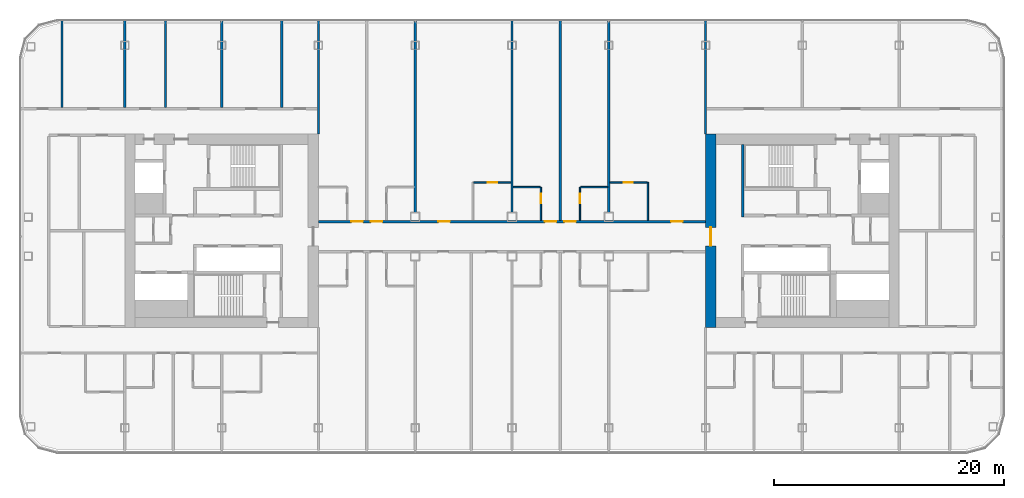
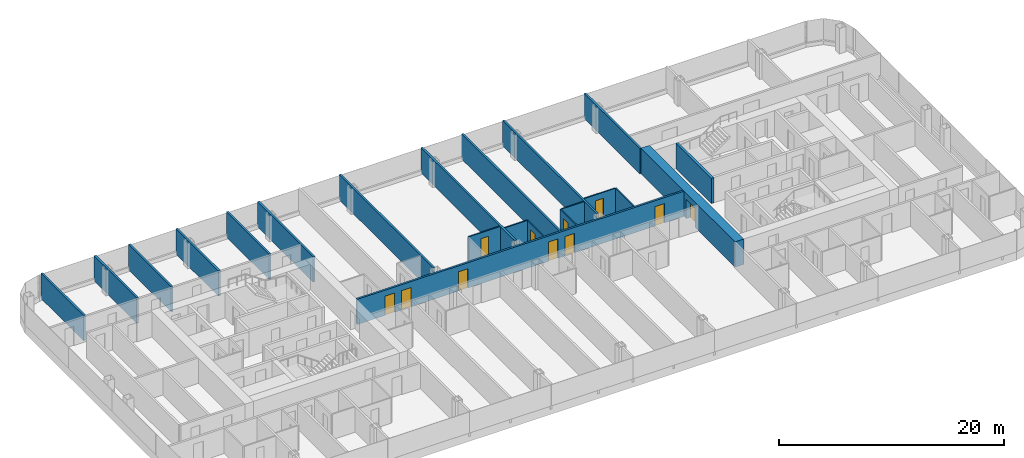
# One storey, part 15 of 26: 21 walls, 11 doors, 11 openings.
"""IFC4 building model written with IfcOpenShell, lengths in metres."""

from ifc_helpers import new_model, si_unit, direction, frame, frame_2d, origin, place, context, subcontext, project, spatial, rectangle, extrude, material, layer, layer_set, type_object, element, fill, save


model = new_model("IFC4")

# Units and contexts
model_context = context("Model", 3, precision=1e-05, world=origin(), true_north=direction((0.0, 1.0)))
body_context = subcontext(model_context, "Body", "Model", "MODEL_VIEW")
ifc_project = project(units=[si_unit("LENGTHUNIT", "METRE"), si_unit("AREAUNIT", "SQUARE_METRE"), si_unit("VOLUMEUNIT", "CUBIC_METRE"), si_unit("PLANEANGLEUNIT", "RADIAN"), si_unit("MASSUNIT", "GRAM", prefix="KILO")], contexts=[model_context])

# Site, building, storey
site_placement = place(None, origin())
site = spatial("IfcSite", under=ifc_project, at=site_placement, CompositionType="ELEMENT")
building_placement = place(site_placement, origin())
building = spatial("IfcBuilding", under=site, at=building_placement, Name="Hakoniwa Tower and Hamabe Station Hall", CompositionType="ELEMENT")
storey_placement = place(building_placement, frame((0.0, 0.0, 156.60009765625)))
storey = spatial("IfcBuildingStorey", under=building, at=storey_placement, Name="L44", CompositionType="ELEMENT", Elevation=156.60009765625)

# Walls
ifc_material_1 = material(Name="Gypsum board partition", Category="gypsum")
ifc_layer_1 = layer(ifc_material_1, 0.125)
ifc_layer_set_1 = layer_set([ifc_layer_1], Name="Bathroom Partition 125")
wall_type_1 = type_object("IfcWallType", Name="Bathroom Partition 125", PredefinedType="PARTITIONING", material=ifc_layer_set_1)
wall_1_placement = place(storey_placement, frame((0.10009765625, 3.800048828125, 0.0), z_axis=(0.0, 0.0, 1.0), x_axis=(1.0, 0.0, 0.0)))
element("IfcWall", 1, at=wall_1_placement, inside=storey, type_object=wall_type_1, Name="GW-L44-025", PredefinedType="PARTITIONING", context=body_context, shape_type="SweptSolid", body=[
    extrude(rectangle(XDim=2.33740234375, YDim=0.125, at=frame_2d((1.168701171875, 0.0))), origin(), (0.0, 0.0, 1.0), 2.75),
])
wall_2_placement = place(storey_placement, frame((5.96240234375, 3.800048828125, 0.0), z_axis=(0.0, 0.0, 1.0), x_axis=(1.0, 0.0, 0.0)))
element("IfcWall", 2, at=wall_2_placement, inside=storey, type_object=wall_type_1, Name="GW-L44-026", PredefinedType="PARTITIONING", context=body_context, shape_type="SweptSolid", body=[
    extrude(rectangle(XDim=2.337646484375, YDim=0.125, at=frame_2d((1.1689453125, 0.0))), origin(), (0.0, 0.0, 1.0), 2.75),
])

# Wall, opening, door
wall_3_placement = place(storey_placement, frame((-3.33740234375, 4.199951171875, 0.0), z_axis=(0.0, 0.0, 1.0), x_axis=(1.0, 0.0, 0.0)))
wall_3 = element("IfcWall", 3, at=wall_3_placement, inside=storey, type_object=wall_type_1, Name="GW-L44-027", PredefinedType="PARTITIONING", context=body_context, shape_type="SweptSolid", body=[
    extrude(rectangle(XDim=3.2373046875, YDim=0.125, at=frame_2d((1.61865234375, 0.0))), origin(), (0.0, 0.0, 1.0), 2.75),
])
opening_1_placement = place(wall_3_placement, frame((1.237548828125, 0.0, 0.0)))
opening_1 = element("IfcOpeningElement", 4, at=opening_1_placement, cuts=wall_3, Name="Opening GD-G3D1-31", PredefinedType="OPENING", context=body_context, shape_type="SweptSolid", body=[
    extrude(rectangle(XDim=0.800048828125, YDim=2.10009765625, at=frame_2d((0.39990234375, 1.050048828125))), frame((0.0, 0.072509765625, 0.0), z_axis=(0.0, -1.0, 0.0), x_axis=(1.0, 0.0, 0.0)), (0.0, 0.0, 1.0), 0.14501953125),
])
ifc_material_2 = material(Name="Timber door leaf", Category="wood")
door_type_1 = type_object("IfcDoorType", Name="Bathroom Door 800", OperationType="SINGLE_SWING_LEFT", PredefinedType="DOOR", material=ifc_material_2)
door_1_placement = place(opening_1_placement, origin())
door_1 = element("IfcDoor", 5, at=door_1_placement, inside=storey, type_object=door_type_1, Name="Door GD-G3D1-31", OperationType="SINGLE_SWING_RIGHT", OverallHeight=2.10009765625, OverallWidth=0.800048828125, PredefinedType="DOOR", context=body_context, shape_type="SweptSolid", body=[
    extrude(rectangle(XDim=0.800048828125, YDim=2.10009765625, at=frame_2d((0.39990234375, 1.050048828125))), frame((0.0, 0.02490234375, 0.0), z_axis=(0.0, -1.0, 0.0), x_axis=(1.0, 0.0, 0.0)), (0.0, 0.0, 1.0), 0.050048828125),
])
fill(opening_1, door_1)

wall_4_placement = place(storey_placement, frame((8.5, 4.199951171875, 0.0), z_axis=(0.0, 0.0, 1.0), x_axis=(1.0, 0.0, 0.0)))
wall_4 = element("IfcWall", 6, at=wall_4_placement, inside=storey, type_object=wall_type_1, Name="GW-L44-028", PredefinedType="PARTITIONING", context=body_context, shape_type="SweptSolid", body=[
    extrude(rectangle(XDim=3.237548828125, YDim=0.125, at=frame_2d((1.61865234375, 0.0))), origin(), (0.0, 0.0, 1.0), 2.75),
])
opening_2_placement = place(wall_4_placement, frame((1.199951171875, 0.0, 0.0)))
opening_2 = element("IfcOpeningElement", 7, at=opening_2_placement, cuts=wall_4, Name="Opening GD-G3D1-32", PredefinedType="OPENING", context=body_context, shape_type="SweptSolid", body=[
    extrude(rectangle(XDim=0.800048828125, YDim=2.10009765625, at=frame_2d((0.39990234375, 1.050048828125))), frame((0.0, 0.072509765625, 0.0), z_axis=(0.0, -1.0, 0.0), x_axis=(1.0, 0.0, 0.0)), (0.0, 0.0, 1.0), 0.14501953125),
])
door_2_placement = place(opening_2_placement, origin())
door_2 = element("IfcDoor", 8, at=door_2_placement, inside=storey, type_object=door_type_1, Name="Door GD-G3D1-32", OperationType="SINGLE_SWING_LEFT", OverallHeight=2.10009765625, OverallWidth=0.800048828125, PredefinedType="DOOR", context=body_context, shape_type="SweptSolid", body=[
    extrude(rectangle(XDim=0.800048828125, YDim=2.10009765625, at=frame_2d((0.39990234375, 1.050048828125))), frame((0.0, 0.02490234375, 0.0), z_axis=(0.0, -1.0, 0.0), x_axis=(1.0, 0.0, 0.0)), (0.0, 0.0, 1.0), 0.050048828125),
])
fill(opening_2, door_2)

wall_5_placement = place(storey_placement, frame((2.5, 0.89990234375, 0.0), z_axis=(0.0, 0.0, 1.0), x_axis=(0.0, 1.0, 0.0)))
wall_5 = element("IfcWall", 9, at=wall_5_placement, inside=storey, type_object=wall_type_1, Name="GW-L44-063", PredefinedType="PARTITIONING", context=body_context, shape_type="SweptSolid", body=[
    extrude(rectangle(XDim=2.900146484375, YDim=0.125, at=frame_2d((1.4501953125, 0.0))), origin(), (0.0, 0.0, 1.0), 2.75),
])
opening_3_placement = place(wall_5_placement, frame((1.5, 0.0, 0.0)))
opening_3 = element("IfcOpeningElement", 10, at=opening_3_placement, cuts=wall_5, Name="Opening GD-G3D1-53", PredefinedType="OPENING", context=body_context, shape_type="SweptSolid", body=[
    extrude(rectangle(XDim=0.800048828125, YDim=2.10009765625, at=frame_2d((0.39990234375, 1.050048828125))), frame((0.0, 0.072509765625, 0.0), z_axis=(0.0, -1.0, 0.0), x_axis=(1.0, 0.0, 0.0)), (0.0, 0.0, 1.0), 0.14501953125),
])
door_3_placement = place(opening_3_placement, origin())
door_3 = element("IfcDoor", 11, at=door_3_placement, inside=storey, type_object=door_type_1, Name="Door GD-G3D1-53", OperationType="SINGLE_SWING_LEFT", OverallHeight=2.10009765625, OverallWidth=0.800048828125, PredefinedType="DOOR", context=body_context, shape_type="SweptSolid", body=[
    extrude(rectangle(XDim=0.800048828125, YDim=2.10009765625, at=frame_2d((0.39990234375, 1.050048828125))), frame((0.0, 0.02490234375, 0.0), z_axis=(0.0, -1.0, 0.0), x_axis=(1.0, 0.0, 0.0)), (0.0, 0.0, 1.0), 0.050048828125),
])
fill(opening_3, door_3)

wall_6_placement = place(storey_placement, frame((5.89990234375, 0.89990234375, 0.0), z_axis=(0.0, 0.0, 1.0), x_axis=(0.0, 1.0, 0.0)))
wall_6 = element("IfcWall", 12, at=wall_6_placement, inside=storey, type_object=wall_type_1, Name="GW-L44-067", PredefinedType="PARTITIONING", context=body_context, shape_type="SweptSolid", body=[
    extrude(rectangle(XDim=2.900146484375, YDim=0.125, at=frame_2d((1.4501953125, 0.0))), origin(), (0.0, 0.0, 1.0), 2.75),
])
opening_4_placement = place(wall_6_placement, frame((1.5, 0.0, 0.0)))
opening_4 = element("IfcOpeningElement", 13, at=opening_4_placement, cuts=wall_6, Name="Opening GD-G3D1-55", PredefinedType="OPENING", context=body_context, shape_type="SweptSolid", body=[
    extrude(rectangle(XDim=0.800048828125, YDim=2.10009765625, at=frame_2d((0.39990234375, 1.050048828125))), frame((0.0, 0.072509765625, 0.0), z_axis=(0.0, -1.0, 0.0), x_axis=(1.0, 0.0, 0.0)), (0.0, 0.0, 1.0), 0.14501953125),
])
door_4_placement = place(opening_4_placement, origin())
door_4 = element("IfcDoor", 14, at=door_4_placement, inside=storey, type_object=door_type_1, Name="Door GD-G3D1-55", OperationType="SINGLE_SWING_RIGHT", OverallHeight=2.10009765625, OverallWidth=0.800048828125, PredefinedType="DOOR", context=body_context, shape_type="SweptSolid", body=[
    extrude(rectangle(XDim=0.800048828125, YDim=2.10009765625, at=frame_2d((0.39990234375, 1.050048828125))), frame((0.0, 0.02490234375, 0.0), z_axis=(0.0, -1.0, 0.0), x_axis=(1.0, 0.0, 0.0)), (0.0, 0.0, 1.0), 0.050048828125),
])
fill(opening_4, door_4)

# Wall
wall_7_placement = place(storey_placement, frame((11.800048828125, 0.89990234375, 0.0), z_axis=(0.0, 0.0, 1.0), x_axis=(0.0, 1.0, 0.0)))
element("IfcWall", 15, at=wall_7_placement, inside=storey, type_object=wall_type_1, Name="GW-L44-071", PredefinedType="PARTITIONING", context=body_context, shape_type="SweptSolid", body=[
    extrude(rectangle(XDim=3.300048828125, YDim=0.125, at=frame_2d((1.64990234375, 0.0))), origin(), (0.0, 0.0, 1.0), 2.75),
])

# Wall, opening, door
ifc_material_3 = material(Name="Concrete C66", Category="concrete")
ifc_layer_2 = layer(ifc_material_3, 0.89990234375)
ifc_layer_set_2 = layer_set([ifc_layer_2], Name="CORE WALL 900 C66")
wall_type_2 = type_object("IfcWallType", Name="CORE WALL 900 C66", PredefinedType="SHEAR", material=ifc_layer_set_2)
wall_8_placement = place(storey_placement, frame((17.25, -8.39990234375, 0.0), z_axis=(0.0, 0.0, 1.0), x_axis=(0.0, 1.0, 0.0)))
wall_8 = element("IfcWall", 16, at=wall_8_placement, inside=storey, type_object=wall_type_2, Name="Core wall INNER east", PredefinedType="SHEAR", context=body_context, shape_type="SweptSolid", body=[
    extrude(rectangle(XDim=16.7998046875, YDim=0.89990234375, at=frame_2d((8.39990234375, 0.0))), origin(), (0.0, 0.0, 1.0), 2.75),
])
opening_5_placement = place(wall_8_placement, frame((7.10009765625, 0.0, 0.0)))
opening_5 = element("IfcOpeningElement", 17, at=opening_5_placement, cuts=wall_8, Name="Opening CD-E-IN1-16", PredefinedType="OPENING", context=body_context, shape_type="SweptSolid", body=[
    extrude(rectangle(XDim=1.60009765625, YDim=2.10009765625, at=frame_2d((0.800048828125, 1.050048828125))), frame((0.0, 0.4599609375, 0.0), z_axis=(0.0, -1.0, 0.0), x_axis=(1.0, 0.0, 0.0)), (0.0, 0.0, 1.0), 0.919921875),
])
ifc_material_4 = material(Name="Steel fire door", Category="steel")
door_type_2 = type_object("IfcDoorType", Name="CORE DOOR 1600 FD60", OperationType="DOUBLE_DOOR_SINGLE_SWING", PredefinedType="DOOR", material=ifc_material_4)
door_5_placement = place(opening_5_placement, origin())
door_5 = element("IfcDoor", 18, at=door_5_placement, inside=storey, type_object=door_type_2, Name="Lift lobby door", OperationType="DOUBLE_DOOR_SINGLE_SWING", OverallHeight=2.10009765625, OverallWidth=1.60009765625, PredefinedType="DOOR", context=body_context, shape_type="SweptSolid", body=[
    extrude(rectangle(XDim=1.60009765625, YDim=2.10009765625, at=frame_2d((0.800048828125, 1.050048828125))), frame((0.0, 0.02490234375, 0.0), z_axis=(0.0, -1.0, 0.0), x_axis=(1.0, 0.0, 0.0)), (0.0, 0.0, 1.0), 0.050048828125),
])
fill(opening_5, door_5)

# Wall
ifc_material_5 = material(Name="Concrete C66", Category="concrete")
ifc_layer_3 = layer(ifc_material_5, 0.25)
ifc_layer_set_3 = layer_set([ifc_layer_3], Name="CORE WEB WALL 250 C66")
wall_type_3 = type_object("IfcWallType", Name="CORE WEB WALL 250 C66", PredefinedType="SHEAR", material=ifc_layer_set_3)
wall_9_placement = place(storey_placement, frame((20.02490234375, 1.199951171875, 0.0), z_axis=(0.0, 0.0, 1.0), x_axis=(0.0, 1.0, 0.0)))
element("IfcWall", 19, at=wall_9_placement, inside=storey, type_object=wall_type_3, Name="Core wall W1N east", PredefinedType="SHEAR", context=body_context, shape_type="SweptSolid", body=[
    extrude(rectangle(XDim=6.300048828125, YDim=0.25, at=frame_2d((3.14990234375, 0.0))), origin(), (0.0, 0.0, 1.0), 2.75),
])

# Wall, openings, doors
ifc_material_6 = material(Name="Fire-rated gypsum board partition", Category="gypsum")
ifc_layer_4 = layer(ifc_material_6, 0.199951171875)
ifc_layer_set_4 = layer_set([ifc_layer_4], Name="Corridor Wall 200")
wall_type_4 = type_object("IfcWallType", Name="Corridor Wall 200", PredefinedType="PARTITIONING", material=ifc_layer_set_4)
wall_10_placement = place(storey_placement, frame((-16.800048828125, 0.800048828125, 0.0), z_axis=(0.0, 0.0, 1.0), x_axis=(1.0, 0.0, 0.0)))
wall_10 = element("IfcWall", 20, at=wall_10_placement, inside=storey, type_object=wall_type_4, Name="GW-L44-022", PredefinedType="PARTITIONING", context=body_context, shape_type="SweptSolid", body=[
    extrude(rectangle(XDim=33.60009765625, YDim=0.199951171875, at=frame_2d((16.800048828125, 0.0))), origin(), (0.0, 0.0, 1.0), 2.75),
])
opening_6_placement = place(wall_10_placement, frame((2.85009765625, 0.0, 0.0)))
opening_6 = element("IfcOpeningElement", 21, at=opening_6_placement, cuts=wall_10, Name="Opening GD-G3D1-25", PredefinedType="OPENING", context=body_context, shape_type="SweptSolid", body=[
    extrude(rectangle(XDim=1.0, YDim=2.10009765625, at=frame_2d((0.5, 1.050048828125))), frame((0.0, 0.10986328125, 0.0), z_axis=(0.0, -1.0, 0.0), x_axis=(1.0, 0.0, 0.0)), (0.0, 0.0, 1.0), 0.219970703125),
])
opening_7_placement = place(wall_10_placement, frame((4.550048828125, 0.0, 0.0)))
opening_7 = element("IfcOpeningElement", 22, at=opening_7_placement, cuts=wall_10, Name="Opening GD-G3D1-26", PredefinedType="OPENING", context=body_context, shape_type="SweptSolid", body=[
    extrude(rectangle(XDim=1.0, YDim=2.10009765625, at=frame_2d((0.5, 1.050048828125))), frame((0.0, 0.10986328125, 0.0), z_axis=(0.0, -1.0, 0.0), x_axis=(1.0, 0.0, 0.0)), (0.0, 0.0, 1.0), 0.219970703125),
])
opening_8_placement = place(wall_10_placement, frame((10.39990234375, 0.0, 0.0)))
opening_8 = element("IfcOpeningElement", 23, at=opening_8_placement, cuts=wall_10, Name="Opening GD-G3D1-27", PredefinedType="OPENING", context=body_context, shape_type="SweptSolid", body=[
    extrude(rectangle(XDim=1.0, YDim=2.10009765625, at=frame_2d((0.5, 1.050048828125))), frame((0.0, 0.10986328125, 0.0), z_axis=(0.0, -1.0, 0.0), x_axis=(1.0, 0.0, 0.0)), (0.0, 0.0, 1.0), 0.219970703125),
])
opening_9_placement = place(wall_10_placement, frame((19.64990234375, 0.0, 0.0)))
opening_9 = element("IfcOpeningElement", 24, at=opening_9_placement, cuts=wall_10, Name="Opening GD-G3D1-28", PredefinedType="OPENING", context=body_context, shape_type="SweptSolid", body=[
    extrude(rectangle(XDim=1.0, YDim=2.10009765625, at=frame_2d((0.5, 1.050048828125))), frame((0.0, 0.10986328125, 0.0), z_axis=(0.0, -1.0, 0.0), x_axis=(1.0, 0.0, 0.0)), (0.0, 0.0, 1.0), 0.219970703125),
])
opening_10_placement = place(wall_10_placement, frame((21.35009765625, 0.0, 0.0)))
opening_10 = element("IfcOpeningElement", 25, at=opening_10_placement, cuts=wall_10, Name="Opening GD-G3D1-29", PredefinedType="OPENING", context=body_context, shape_type="SweptSolid", body=[
    extrude(rectangle(XDim=1.0, YDim=2.10009765625, at=frame_2d((0.5, 1.050048828125))), frame((0.0, 0.10986328125, 0.0), z_axis=(0.0, -1.0, 0.0), x_axis=(1.0, 0.0, 0.0)), (0.0, 0.0, 1.0), 0.219970703125),
])
opening_11_placement = place(wall_10_placement, frame((30.60009765625, 0.0, 0.0)))
opening_11 = element("IfcOpeningElement", 26, at=opening_11_placement, cuts=wall_10, Name="Opening GD-G3D1-30", PredefinedType="OPENING", context=body_context, shape_type="SweptSolid", body=[
    extrude(rectangle(XDim=1.0, YDim=2.10009765625, at=frame_2d((0.5, 1.050048828125))), frame((0.0, 0.10986328125, 0.0), z_axis=(0.0, -1.0, 0.0), x_axis=(1.0, 0.0, 0.0)), (0.0, 0.0, 1.0), 0.219970703125),
])
ifc_material_7 = material(Name="Timber door leaf", Category="wood")
door_type_3 = type_object("IfcDoorType", Name="Guest Entrance Door 1000", OperationType="SINGLE_SWING_LEFT", PredefinedType="DOOR", material=ifc_material_7)
door_6_placement = place(opening_6_placement, origin())
door_6 = element("IfcDoor", 27, at=door_6_placement, inside=storey, type_object=door_type_3, Name="Door GD-G3D1-25", OperationType="SINGLE_SWING_RIGHT", OverallHeight=2.10009765625, OverallWidth=1.0, PredefinedType="DOOR", context=body_context, shape_type="SweptSolid", body=[
    extrude(rectangle(XDim=1.0, YDim=2.10009765625, at=frame_2d((0.5, 1.050048828125))), frame((0.0, 0.02490234375, 0.0), z_axis=(0.0, -1.0, 0.0), x_axis=(1.0, 0.0, 0.0)), (0.0, 0.0, 1.0), 0.050048828125),
])
fill(opening_6, door_6)
door_7_placement = place(opening_7_placement, origin())
door_7 = element("IfcDoor", 28, at=door_7_placement, inside=storey, type_object=door_type_3, Name="Door GD-G3D1-26", OperationType="SINGLE_SWING_LEFT", OverallHeight=2.10009765625, OverallWidth=1.0, PredefinedType="DOOR", context=body_context, shape_type="SweptSolid", body=[
    extrude(rectangle(XDim=1.0, YDim=2.10009765625, at=frame_2d((0.5, 1.050048828125))), frame((0.0, 0.02490234375, 0.0), z_axis=(0.0, -1.0, 0.0), x_axis=(1.0, 0.0, 0.0)), (0.0, 0.0, 1.0), 0.050048828125),
])
fill(opening_7, door_7)
door_8_placement = place(opening_8_placement, origin())
door_8 = element("IfcDoor", 29, at=door_8_placement, inside=storey, type_object=door_type_3, Name="Door GD-G3D1-27", OperationType="SINGLE_SWING_RIGHT", OverallHeight=2.10009765625, OverallWidth=1.0, PredefinedType="DOOR", context=body_context, shape_type="SweptSolid", body=[
    extrude(rectangle(XDim=1.0, YDim=2.10009765625, at=frame_2d((0.5, 1.050048828125))), frame((0.0, 0.02490234375, 0.0), z_axis=(0.0, -1.0, 0.0), x_axis=(1.0, 0.0, 0.0)), (0.0, 0.0, 1.0), 0.050048828125),
])
fill(opening_8, door_8)
door_9_placement = place(opening_9_placement, origin())
door_9 = element("IfcDoor", 30, at=door_9_placement, inside=storey, type_object=door_type_3, Name="Door GD-G3D1-28", OperationType="SINGLE_SWING_LEFT", OverallHeight=2.10009765625, OverallWidth=1.0, PredefinedType="DOOR", context=body_context, shape_type="SweptSolid", body=[
    extrude(rectangle(XDim=1.0, YDim=2.10009765625, at=frame_2d((0.5, 1.050048828125))), frame((0.0, 0.02490234375, 0.0), z_axis=(0.0, -1.0, 0.0), x_axis=(1.0, 0.0, 0.0)), (0.0, 0.0, 1.0), 0.050048828125),
])
fill(opening_9, door_9)
door_10_placement = place(opening_10_placement, origin())
door_10 = element("IfcDoor", 31, at=door_10_placement, inside=storey, type_object=door_type_3, Name="Door GD-G3D1-29", OperationType="SINGLE_SWING_RIGHT", OverallHeight=2.10009765625, OverallWidth=1.0, PredefinedType="DOOR", context=body_context, shape_type="SweptSolid", body=[
    extrude(rectangle(XDim=1.0, YDim=2.10009765625, at=frame_2d((0.5, 1.050048828125))), frame((0.0, 0.02490234375, 0.0), z_axis=(0.0, -1.0, 0.0), x_axis=(1.0, 0.0, 0.0)), (0.0, 0.0, 1.0), 0.050048828125),
])
fill(opening_10, door_10)
door_11_placement = place(opening_11_placement, origin())
door_11 = element("IfcDoor", 32, at=door_11_placement, inside=storey, type_object=door_type_3, Name="Door GD-G3D1-30", OperationType="SINGLE_SWING_RIGHT", OverallHeight=2.10009765625, OverallWidth=1.0, PredefinedType="DOOR", context=body_context, shape_type="SweptSolid", body=[
    extrude(rectangle(XDim=1.0, YDim=2.10009765625, at=frame_2d((0.5, 1.050048828125))), frame((0.0, 0.02490234375, 0.0), z_axis=(0.0, -1.0, 0.0), x_axis=(1.0, 0.0, 0.0)), (0.0, 0.0, 1.0), 0.050048828125),
])
fill(opening_11, door_11)

# Walls
ifc_material_8 = material(Name="Fire-rated gypsum board partition", Category="gypsum")
ifc_layer_5 = layer(ifc_material_8, 0.199951171875)
ifc_layer_set_5 = layer_set([ifc_layer_5], Name="Party Wall 200")
wall_type_5 = type_object("IfcWallType", Name="Party Wall 200", PredefinedType="PARTITIONING", material=ifc_layer_set_5)
for number, where, z_axis, x_axis, name in (
    (33, (-39.06005859375, 10.699951171875, 0.0), (0.0, 0.0, 1.0), (0.0, 1.0, 0.0), "GW-L44-034"),
    (34, (-33.60009765625, 10.699951171875, 0.0), (0.0, 0.0, 1.0), (0.0, 1.0, 0.0), "GW-L44-039"),
    (35, (-30.070068359375, 10.699951171875, 0.0), (0.0, 0.0, 1.0), (0.0, 1.0, 0.0), "GW-L44-041"),
    (36, (-25.199951171875, 10.699951171875, 0.0), (0.0, 0.0, 1.0), (0.0, 1.0, 0.0), "GW-L44-045"),
    (37, (-19.989990234375, 10.699951171875, 0.0), (0.0, 0.0, 1.0), (0.0, 1.0, 0.0), "GW-L44-047"),
):
    element("IfcWall", number, at=place(storey_placement, frame(where, z_axis=z_axis, x_axis=x_axis)), inside=storey, type_object=wall_type_5, Name=name, PredefinedType="PARTITIONING", context=body_context, shape_type="SweptSolid", body=[
        extrude(rectangle(XDim=7.60009765625, YDim=0.199951171875, at=frame_2d((3.800048828125, 0.0))), origin(), (0.0, 0.0, 1.0), 2.75),
    ])
wall_11_placement = place(storey_placement, frame((-16.800048828125, 8.389892578125, 0.0), z_axis=(0.0, 0.0, 1.0), x_axis=(0.0, 1.0, 0.0)))
element("IfcWall", 38, at=wall_11_placement, inside=storey, type_object=wall_type_5, Name="GW-L44-049", PredefinedType="PARTITIONING", context=body_context, shape_type="SweptSolid", body=[
    extrude(rectangle(XDim=9.91015625, YDim=0.199951171875, at=frame_2d((4.955078125, 0.0))), origin(), (0.0, 0.0, 1.0), 2.75),
])
for number, where, z_axis, x_axis, name in (
    (39, (-8.39990234375, 1.590087890625, 0.0), (0.0, 0.0, 1.0), (0.0, 1.0, 0.0), "GW-L44-057"),
    (40, (0.0, 1.590087890625, 0.0), (0.0, 0.0, 1.0), (0.0, 1.0, 0.0), "GW-L44-061"),
):
    element("IfcWall", number, at=place(storey_placement, frame(where, z_axis=z_axis, x_axis=x_axis)), inside=storey, type_object=wall_type_5, Name=name, PredefinedType="PARTITIONING", context=body_context, shape_type="SweptSolid", body=[
        extrude(rectangle(XDim=16.7099609375, YDim=0.199951171875, at=frame_2d((8.35498046875, 0.0))), origin(), (0.0, 0.0, 1.0), 2.75),
    ])
wall_12_placement = place(storey_placement, frame((4.199951171875, 0.89990234375, 0.0), z_axis=(0.0, 0.0, 1.0), x_axis=(0.0, 1.0, 0.0)))
element("IfcWall", 41, at=wall_12_placement, inside=storey, type_object=wall_type_5, Name="GW-L44-065", PredefinedType="PARTITIONING", context=body_context, shape_type="SweptSolid", body=[
    extrude(rectangle(XDim=17.400146484375, YDim=0.199951171875, at=frame_2d((8.7001953125, 0.0))), origin(), (0.0, 0.0, 1.0), 2.75),
])
wall_13_placement = place(storey_placement, frame((8.39990234375, 1.590087890625, 0.0), z_axis=(0.0, 0.0, 1.0), x_axis=(0.0, 1.0, 0.0)))
element("IfcWall", 42, at=wall_13_placement, inside=storey, type_object=wall_type_5, Name="GW-L44-069", PredefinedType="PARTITIONING", context=body_context, shape_type="SweptSolid", body=[
    extrude(rectangle(XDim=16.7099609375, YDim=0.199951171875, at=frame_2d((8.35498046875, 0.0))), origin(), (0.0, 0.0, 1.0), 2.75),
])
wall_14_placement = place(storey_placement, frame((16.800048828125, 8.389892578125, 0.0), z_axis=(0.0, 0.0, 1.0), x_axis=(0.0, 1.0, 0.0)))
element("IfcWall", 43, at=wall_14_placement, inside=storey, type_object=wall_type_5, Name="GW-L44-073", PredefinedType="PARTITIONING", context=body_context, shape_type="SweptSolid", body=[
    extrude(rectangle(XDim=9.91015625, YDim=0.199951171875, at=frame_2d((4.955078125, 0.0))), origin(), (0.0, 0.0, 1.0), 2.75),
])

save(model, "model.ifc")
